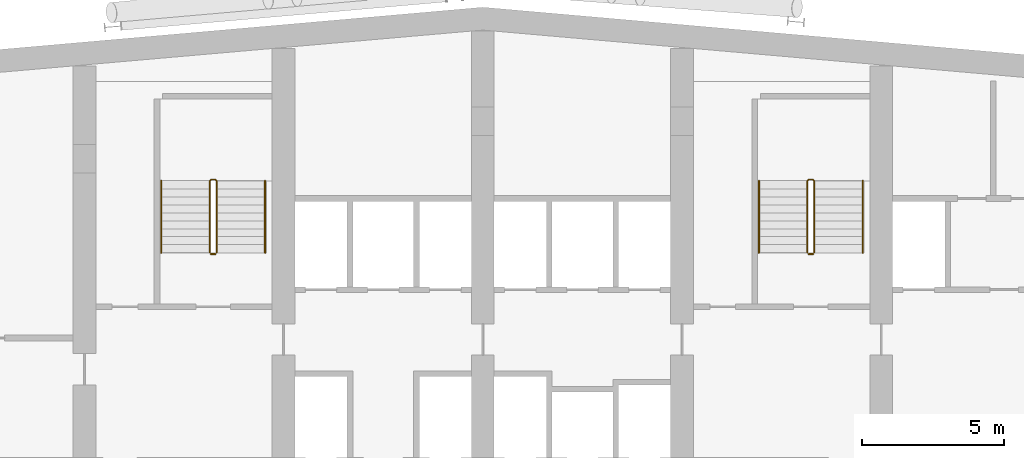
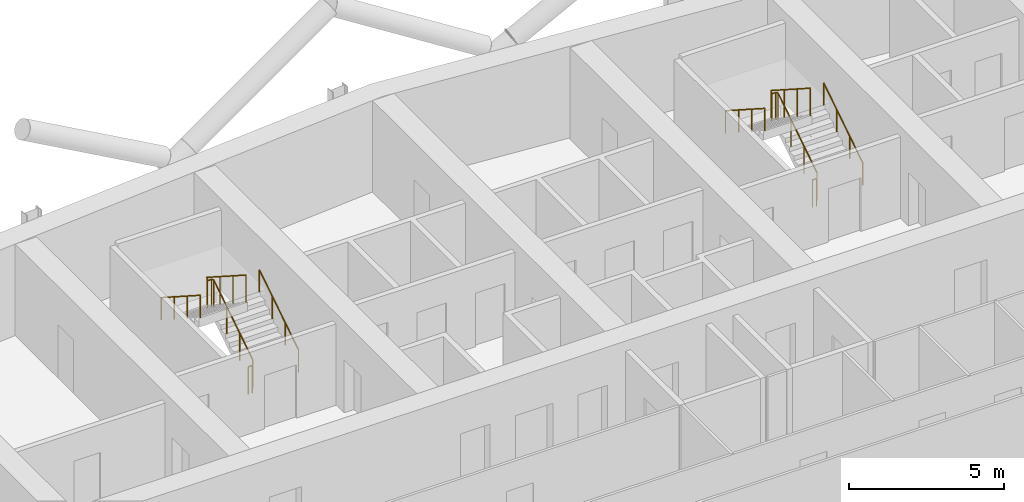
# One storey, part 27 of 27: 8 railings.
"""IFC4 building model written with IfcOpenShell, lengths in metres."""

from ifc_helpers import new_model, si_unit, direction, frame, origin, origin_2d, place, context, subcontext, project, spatial, circle, extrude, material, type_object, element, save


model = new_model("IFC4")

# Units and contexts
model_context = context("Model", 3, precision=1e-05, world=origin(), true_north=direction((0.0, 1.0)))
body_context = subcontext(model_context, "Body", "Model", "MODEL_VIEW")
ifc_project = project(units=[si_unit("LENGTHUNIT", "METRE"), si_unit("AREAUNIT", "SQUARE_METRE"), si_unit("VOLUMEUNIT", "CUBIC_METRE"), si_unit("PLANEANGLEUNIT", "RADIAN"), si_unit("MASSUNIT", "GRAM", prefix="KILO")], contexts=[model_context])

# Site, building, storey
site_placement = place(None, origin())
site = spatial("IfcSite", under=ifc_project, at=site_placement, CompositionType="ELEMENT")
building_placement = place(site_placement, origin())
building = spatial("IfcBuilding", under=site, at=building_placement, Name="Wharfspan Tower", CompositionType="ELEMENT")
storey_placement = place(building_placement, frame((0.0, 0.0, 159.100098)))
storey = spatial("IfcBuildingStorey", under=building, at=storey_placement, Name="L38", CompositionType="ELEMENT", Elevation=159.100098)

# Railings
ifc_material = material(Name="Steel S355J2", Category="steel")
railing_type_1 = type_object("IfcRailingType", Name="Stair guard 1100", PredefinedType="GUARDRAIL", material=ifc_material)
railing_1_placement = place(storey_placement, frame((27.649902, 42.0, 0.179932)))
element("IfcRailing", 1, at=railing_1_placement, inside=storey, type_object=railing_type_1, Name="L38 ST1 stair guard 1", PredefinedType="GUARDRAIL", context=body_context, shape_type="SweptSolid", body=[
    extrude(circle(Radius=0.023926, at=origin_2d()), frame((0.0, 0.0, 1.076172), z_axis=(0.0, 0.8412, 0.540725), x_axis=(-1.0, 0.0, 0.0)), (0.0, 0.0, 1.0), 2.99585),
    extrude(circle(Radius=0.023926, at=origin_2d()), frame((0.0, 2.52002, 2.695801), z_axis=(-0.705376, 0.708834, 0.0), x_axis=(-0.708834, -0.705376, 0.0)), (0.0, 0.0, 1.0), 0.070557),
    extrude(circle(Radius=0.023926, at=origin_2d()), frame((-0.049805, 2.570068, 2.695801), z_axis=(-1.0, 0.0, 0.0), x_axis=(0.0, -1.0, 0.0)), (0.0, 0.0, 1.0), 0.150146),
    extrude(circle(Radius=0.023926, at=origin_2d()), frame((-0.199951, 2.570068, 2.695801), z_axis=(-0.258544, -0.258544, 0.930758), x_axis=(0.707107, -0.707107, 0.0)), (0.0, 0.0, 1.0), 0.193604),
    extrude(circle(Radius=0.023926, at=origin_2d()), frame((-0.25, 2.52002, 2.875977), z_axis=(0.0, -0.8412, 0.540725), x_axis=(1.0, 0.0, 0.0)), (0.0, 0.0, 1.0), 2.99585),
    extrude(circle(Radius=0.020996, at=origin_2d()), origin(), (0.0, 0.0, 1.0), 1.052002),
    extrude(circle(Radius=0.020996, at=origin_2d()), frame((0.0, 0.840088, 0.540039)), (0.0, 0.0, 1.0), 1.052002),
    extrude(circle(Radius=0.020996, at=origin_2d()), frame((0.0, 1.679932, 1.079834)), (0.0, 0.0, 1.0), 1.052002),
    extrude(circle(Radius=0.020996, at=origin_2d()), frame((0.0, 2.52002, 1.619873)), (0.0, 0.0, 1.0), 1.052002),
    extrude(circle(Radius=0.020996, at=origin_2d()), frame((-0.049805, 2.570068, 1.619873)), (0.0, 0.0, 1.0), 1.052002),
    extrude(circle(Radius=0.020996, at=origin_2d()), frame((-0.199951, 2.570068, 1.619873)), (0.0, 0.0, 1.0), 1.052002),
    extrude(circle(Radius=0.020996, at=origin_2d()), frame((-0.25, 2.52002, 1.800049)), (0.0, 0.0, 1.0), 1.052002),
    extrude(circle(Radius=0.020996, at=origin_2d()), frame((-0.25, 1.679932, 2.340088)), (0.0, 0.0, 1.0), 1.052002),
    extrude(circle(Radius=0.020996, at=origin_2d()), frame((-0.25, 0.840088, 2.879883)), (0.0, 0.0, 1.0), 1.052002),
    extrude(circle(Radius=0.020996, at=origin_2d()), frame((-0.25, 0.0, 3.419922)), (0.0, 0.0, 1.0), 1.052002),
])
railing_2_placement = place(storey_placement, frame((27.600098, 41.949951, 0.0)))
element("IfcRailing", 2, at=railing_2_placement, inside=storey, type_object=railing_type_1, Name="L38 ST1 stair guard 2", PredefinedType="GUARDRAIL", context=body_context, shape_type="SweptSolid", body=[
    extrude(circle(Radius=0.023926, at=origin_2d()), frame((0.0, 0.0, 1.076172), z_axis=(-1.0, 0.0, 0.0), x_axis=(0.0, -1.0, 0.0)), (0.0, 0.0, 1.0), 0.150146),
    extrude(circle(Radius=0.020996, at=origin_2d()), origin(), (0.0, 0.0, 1.0), 1.052002),
    extrude(circle(Radius=0.020996, at=origin_2d()), frame((-0.150146, 0.0, 0.0)), (0.0, 0.0, 1.0), 1.052002),
])
railing_3_placement = place(storey_placement, frame((48.649902, 42.0, 0.179932)))
element("IfcRailing", 3, at=railing_3_placement, inside=storey, type_object=railing_type_1, Name="L38 ST2 stair guard 1", PredefinedType="GUARDRAIL", context=body_context, shape_type="SweptSolid", body=[
    extrude(circle(Radius=0.023926, at=origin_2d()), frame((0.0, 0.0, 1.076172), z_axis=(0.0, 0.8412, 0.540725), x_axis=(-1.0, 0.0, 0.0)), (0.0, 0.0, 1.0), 2.99585),
    extrude(circle(Radius=0.023926, at=origin_2d()), frame((0.0, 2.52002, 2.695801), z_axis=(-0.705376, 0.708834, 0.0), x_axis=(-0.708834, -0.705376, 0.0)), (0.0, 0.0, 1.0), 0.070557),
    extrude(circle(Radius=0.023926, at=origin_2d()), frame((-0.049805, 2.570068, 2.695801), z_axis=(-1.0, 0.0, 0.0), x_axis=(0.0, -1.0, 0.0)), (0.0, 0.0, 1.0), 0.150146),
    extrude(circle(Radius=0.023926, at=origin_2d()), frame((-0.199951, 2.570068, 2.695801), z_axis=(-0.258544, -0.258544, 0.930758), x_axis=(0.707107, -0.707107, 0.0)), (0.0, 0.0, 1.0), 0.193604),
    extrude(circle(Radius=0.023926, at=origin_2d()), frame((-0.25, 2.52002, 2.875977), z_axis=(0.0, -0.8412, 0.540725), x_axis=(1.0, 0.0, 0.0)), (0.0, 0.0, 1.0), 2.99585),
    extrude(circle(Radius=0.020996, at=origin_2d()), origin(), (0.0, 0.0, 1.0), 1.052002),
    extrude(circle(Radius=0.020996, at=origin_2d()), frame((0.0, 0.840088, 0.540039)), (0.0, 0.0, 1.0), 1.052002),
    extrude(circle(Radius=0.020996, at=origin_2d()), frame((0.0, 1.679932, 1.079834)), (0.0, 0.0, 1.0), 1.052002),
    extrude(circle(Radius=0.020996, at=origin_2d()), frame((0.0, 2.52002, 1.619873)), (0.0, 0.0, 1.0), 1.052002),
    extrude(circle(Radius=0.020996, at=origin_2d()), frame((-0.049805, 2.570068, 1.619873)), (0.0, 0.0, 1.0), 1.052002),
    extrude(circle(Radius=0.020996, at=origin_2d()), frame((-0.199951, 2.570068, 1.619873)), (0.0, 0.0, 1.0), 1.052002),
    extrude(circle(Radius=0.020996, at=origin_2d()), frame((-0.25, 2.52002, 1.800049)), (0.0, 0.0, 1.0), 1.052002),
    extrude(circle(Radius=0.020996, at=origin_2d()), frame((-0.25, 1.679932, 2.340088)), (0.0, 0.0, 1.0), 1.052002),
    extrude(circle(Radius=0.020996, at=origin_2d()), frame((-0.25, 0.840088, 2.879883)), (0.0, 0.0, 1.0), 1.052002),
    extrude(circle(Radius=0.020996, at=origin_2d()), frame((-0.25, 0.0, 3.419922)), (0.0, 0.0, 1.0), 1.052002),
])
railing_4_placement = place(storey_placement, frame((48.600098, 41.949951, 0.0)))
element("IfcRailing", 4, at=railing_4_placement, inside=storey, type_object=railing_type_1, Name="L38 ST2 stair guard 2", PredefinedType="GUARDRAIL", context=body_context, shape_type="SweptSolid", body=[
    extrude(circle(Radius=0.023926, at=origin_2d()), frame((0.0, 0.0, 1.076172), z_axis=(-1.0, 0.0, 0.0), x_axis=(0.0, -1.0, 0.0)), (0.0, 0.0, 1.0), 0.150146),
    extrude(circle(Radius=0.020996, at=origin_2d()), origin(), (0.0, 0.0, 1.0), 1.052002),
    extrude(circle(Radius=0.020996, at=origin_2d()), frame((-0.150146, 0.0, 0.0)), (0.0, 0.0, 1.0), 1.052002),
])
railing_type_2 = type_object("IfcRailingType", Name="Stair handrail 900", PredefinedType="HANDRAIL", material=ifc_material)
railing_5_placement = place(storey_placement, frame((29.350098, 42.0, 0.179932)))
element("IfcRailing", 5, at=railing_5_placement, inside=storey, type_object=railing_type_2, Name="L38 ST1 stair handrail 1", PredefinedType="HANDRAIL", context=body_context, shape_type="SweptSolid", body=[
    extrude(circle(Radius=0.023926, at=origin_2d()), frame((0.0, 0.0, 0.875977), z_axis=(0.0, 0.8412, 0.540725), x_axis=(-1.0, 0.0, 0.0)), (0.0, 0.0, 1.0), 2.99585),
    extrude(circle(Radius=0.020996, at=origin_2d()), origin(), (0.0, 0.0, 1.0), 0.851807),
    extrude(circle(Radius=0.020996, at=origin_2d()), frame((0.0, 0.840088, 0.540039)), (0.0, 0.0, 1.0), 0.851807),
    extrude(circle(Radius=0.020996, at=origin_2d()), frame((0.0, 1.679932, 1.079834)), (0.0, 0.0, 1.0), 0.851807),
    extrude(circle(Radius=0.020996, at=origin_2d()), frame((0.0, 2.52002, 1.619873)), (0.0, 0.0, 1.0), 0.851807),
])
railing_6_placement = place(storey_placement, frame((25.699951, 44.52002, 1.97998)))
element("IfcRailing", 6, at=railing_6_placement, inside=storey, type_object=railing_type_2, Name="L38 ST1 stair handrail 2", PredefinedType="HANDRAIL", context=body_context, shape_type="SweptSolid", body=[
    extrude(circle(Radius=0.023926, at=origin_2d()), frame((0.0, 0.0, 0.875977), z_axis=(0.0, -0.8412, 0.540725), x_axis=(1.0, 0.0, 0.0)), (0.0, 0.0, 1.0), 2.99585),
    extrude(circle(Radius=0.020996, at=origin_2d()), origin(), (0.0, 0.0, 1.0), 0.851807),
    extrude(circle(Radius=0.020996, at=origin_2d()), frame((0.0, -0.840088, 0.540039)), (0.0, 0.0, 1.0), 0.851807),
    extrude(circle(Radius=0.020996, at=origin_2d()), frame((0.0, -1.679932, 1.079834)), (0.0, 0.0, 1.0), 0.851807),
    extrude(circle(Radius=0.020996, at=origin_2d()), frame((0.0, -2.52002, 1.619873)), (0.0, 0.0, 1.0), 0.851807),
])
railing_7_placement = place(storey_placement, frame((50.350098, 42.0, 0.179932)))
element("IfcRailing", 7, at=railing_7_placement, inside=storey, type_object=railing_type_2, Name="L38 ST2 stair handrail 1", PredefinedType="HANDRAIL", context=body_context, shape_type="SweptSolid", body=[
    extrude(circle(Radius=0.023926, at=origin_2d()), frame((0.0, 0.0, 0.875977), z_axis=(0.0, 0.8412, 0.540725), x_axis=(-1.0, 0.0, 0.0)), (0.0, 0.0, 1.0), 2.99585),
    extrude(circle(Radius=0.020996, at=origin_2d()), origin(), (0.0, 0.0, 1.0), 0.851807),
    extrude(circle(Radius=0.020996, at=origin_2d()), frame((0.0, 0.840088, 0.540039)), (0.0, 0.0, 1.0), 0.851807),
    extrude(circle(Radius=0.020996, at=origin_2d()), frame((0.0, 1.679932, 1.079834)), (0.0, 0.0, 1.0), 0.851807),
    extrude(circle(Radius=0.020996, at=origin_2d()), frame((0.0, 2.52002, 1.619873)), (0.0, 0.0, 1.0), 0.851807),
])
railing_8_placement = place(storey_placement, frame((46.699951, 44.52002, 1.97998)))
element("IfcRailing", 8, at=railing_8_placement, inside=storey, type_object=railing_type_2, Name="L38 ST2 stair handrail 2", PredefinedType="HANDRAIL", context=body_context, shape_type="SweptSolid", body=[
    extrude(circle(Radius=0.023926, at=origin_2d()), frame((0.0, 0.0, 0.875977), z_axis=(0.0, -0.8412, 0.540725), x_axis=(1.0, 0.0, 0.0)), (0.0, 0.0, 1.0), 2.99585),
    extrude(circle(Radius=0.020996, at=origin_2d()), origin(), (0.0, 0.0, 1.0), 0.851807),
    extrude(circle(Radius=0.020996, at=origin_2d()), frame((0.0, -0.840088, 0.540039)), (0.0, 0.0, 1.0), 0.851807),
    extrude(circle(Radius=0.020996, at=origin_2d()), frame((0.0, -1.679932, 1.079834)), (0.0, 0.0, 1.0), 0.851807),
    extrude(circle(Radius=0.020996, at=origin_2d()), frame((0.0, -2.52002, 1.619873)), (0.0, 0.0, 1.0), 0.851807),
])

save(model, "model.ifc")
